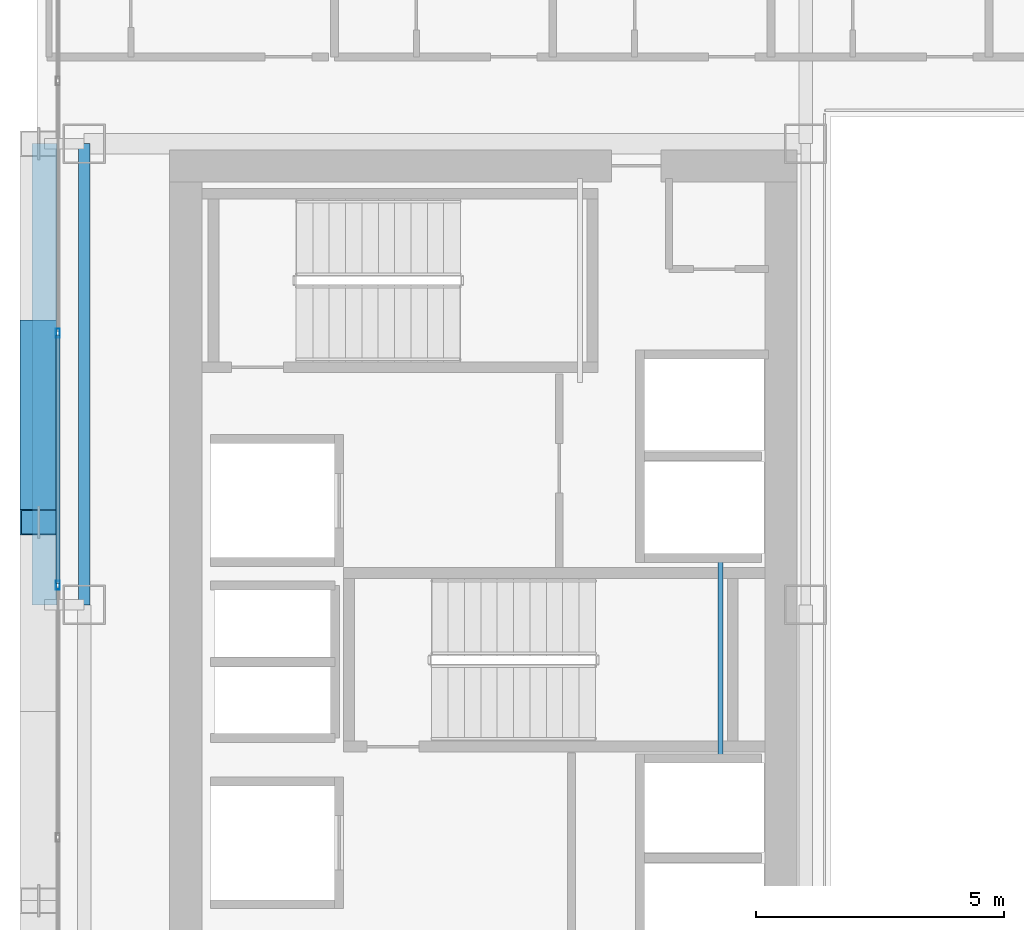
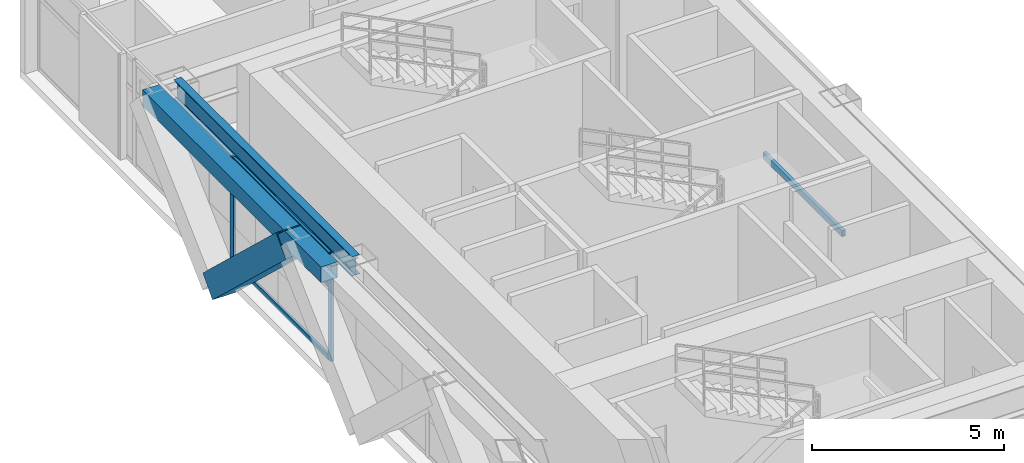
# One storey, part 8 of 36: 6 members, 3 beams, 1 element without a shape of its own.
"""IFC4 building model written with IfcOpenShell, lengths in metres."""

from ifc_helpers import new_model, si_unit, direction, frame, origin, origin_2d, place, context, subcontext, project, spatial, hollow_rectangle, i_section, extrude, source, transform, mapped, material, layer, layer_set, material_profile, profile_set, type_object, element, aggregate, save


model = new_model("IFC4")

# Units and contexts
model_context = context("Model", 3, precision=1e-05, world=origin(), true_north=direction((0.0, 1.0)))
body_context = subcontext(model_context, "Body", "Model", "MODEL_VIEW")
ifc_project = project(units=[si_unit("LENGTHUNIT", "METRE"), si_unit("AREAUNIT", "SQUARE_METRE"), si_unit("VOLUMEUNIT", "CUBIC_METRE"), si_unit("PLANEANGLEUNIT", "RADIAN"), si_unit("MASSUNIT", "GRAM", prefix="KILO")], contexts=[model_context])

# Site, building, storey
site_placement = place(None, origin())
site = spatial("IfcSite", under=ifc_project, at=site_placement, CompositionType="ELEMENT")
building_placement = place(site_placement, origin())
building = spatial("IfcBuilding", under=site, at=building_placement, Name="Ocotamira Hotel", CompositionType="ELEMENT")
storey_placement = place(building_placement, frame((0.0, 0.0, 136.800048828125)))
storey = spatial("IfcBuildingStorey", under=building, at=storey_placement, Name="L34", CompositionType="ELEMENT", Elevation=136.800048828125)

# Beams
ifc_material_1 = material(Name="Steel ASTM A500 Grade C", Category="steel")
ifc_material_profile_1 = material_profile(ifc_material_1, hollow_rectangle(XDim=0.10009765625, YDim=0.199951171875, WallThickness=0.008056640625, at=origin_2d()), Name="HSS200X100X8")
ifc_profile_set_1 = profile_set([ifc_material_profile_1], Name="Steel ASTM A500 Grade C")
beam_type_1 = type_object("IfcBeamType", Name="BM-STLDG-HSS200", PredefinedType="BEAM", material=ifc_profile_set_1)
shared_shape_1 = source(origin(), body_context, "Body", "SweptSolid", [
    extrude(hollow_rectangle(XDim=0.10009765625, YDim=0.199951171875, WallThickness=0.008056640625, at=origin_2d()), origin(), (0.0, 0.0, 1.0), 4.1201171875),
])
beam_1_placement = place(storey_placement, frame((21.780029296875, 24.97998046875, 1.5), z_axis=(0.0, 1.0, 0.0), x_axis=(-1.0, 0.0, 0.0)))
element("IfcBeam", 1, at=beam_1_placement, inside=storey, type_object=beam_type_1, Name="L34 Stair ST-3 Landing Bearer 1", PredefinedType="BEAM", context=body_context, shape_type="MappedRepresentation", body=[
    mapped(shared_shape_1, transform((0.0, 0.0, 0.0), scale=1.0)),
])
ifc_material_2 = material(Name="Steel ASTM A992 Grade 50", Category="steel")
ifc_material_profile_2 = material_profile(ifc_material_2, i_section(OverallWidth=0.22998046875, OverallDepth=0.616943359375, WebThickness=0.01318359375, FlangeThickness=0.022216796875, FilletRadius=0.012939453125, at=origin_2d()), Name="W24X94")
ifc_profile_set_2 = profile_set([ifc_material_profile_2], Name="Steel ASTM A992 Grade 50")
beam_type_2 = type_object("IfcBeamType", Name="BM-PRIM-W24X94", PredefinedType="BEAM", material=ifc_profile_set_2)
shared_shape_2 = source(origin(), body_context, "Body", "SweptSolid", [
    extrude(i_section(OverallWidth=0.22998046875, OverallDepth=0.616943359375, WebThickness=0.01318359375, FlangeThickness=0.022216796875, FilletRadius=0.012939453125, at=origin_2d()), origin(), (0.0, 0.0, 1.0), 9.300048828125),
])
beam_2_placement = place(storey_placement, frame((8.949951171875, 28.14990234375, 3.051513671875), z_axis=(0.0, 1.0, 0.0), x_axis=(-1.0, 0.0, 0.0)))
element("IfcBeam", 2, at=beam_2_placement, inside=storey, type_object=beam_type_2, Name="L34 Beam X8.95 Y28.15-37.45", PredefinedType="BEAM", context=body_context, shape_type="MappedRepresentation", body=[
    mapped(shared_shape_2, transform((0.0, 0.0, 0.0), scale=1.0)),
])
ifc_material_profile_3 = material_profile(ifc_material_1, hollow_rectangle(XDim=0.5, YDim=0.5, WallThickness=0.02001953125, at=origin_2d()), Name="HSS500X500X20")
ifc_profile_set_3 = profile_set([ifc_material_profile_3], Name="Steel ASTM A500 Grade C")
beam_type_3 = type_object("IfcBeamType", Name="BM-SPAN-HSS500", PredefinedType="USERDEFINED", material=ifc_profile_set_3)
shared_shape_3 = source(origin(), body_context, "Body", "SweptSolid", [
    extrude(hollow_rectangle(XDim=0.5, YDim=0.5, WallThickness=0.02001953125, at=origin_2d()), origin(), (0.0, 0.0, 1.0), 9.300048828125),
])
beam_3_placement = place(storey_placement, frame((8.14990234375, 28.14990234375, 3.10986328125), z_axis=(0.0, 1.0, 0.0), x_axis=(-1.0, 0.0, 0.0)))
element("IfcBeam", 3, at=beam_3_placement, inside=storey, type_object=beam_type_3, Name="L34 Edge Spandrel W Y28.15-37.45", ObjectType="SPANDREL", PredefinedType="USERDEFINED", context=body_context, shape_type="MappedRepresentation", body=[
    mapped(shared_shape_3, transform((0.0, 0.0, 0.0), scale=1.0)),
])

# Member
ifc_material_3 = material(Name="Pale-metal coated steel ASTM A913 Grade 65", Category="steel")
ifc_material_profile_4 = material_profile(ifc_material_3, hollow_rectangle(XDim=0.75, YDim=0.75, WallThickness=0.028076171875, at=origin_2d()), Name="BOX750X750X28")
ifc_profile_set_4 = profile_set([ifc_material_profile_4], Name="Pale-metal coated steel ASTM A913 Grade 65")
member_type_1 = type_object("IfcMemberType", Name="MEM-EXO-BOX750", PredefinedType="BRACE", material=ifc_profile_set_4)
shared_shape_4 = source(origin(), body_context, "Body", "SweptSolid", [
    extrude(hollow_rectangle(XDim=0.75, YDim=0.75, WallThickness=0.028076171875, at=origin_2d()), origin(), (0.0, 0.0, 1.0), 5.24658203125),
])
member_1_placement = place(storey_placement, frame((8.030029296875, 33.63330078125, -0.489990234375), z_axis=(0.0, -0.72746596067, 0.686143772154), x_axis=(1.0, 0.0, 0.0)))
element("IfcMember", 4, at=member_1_placement, inside=storey, type_object=member_type_1, Name="L34 Exoskeleton Diagrid W2.1", PredefinedType="BRACE", context=body_context, shape_type="MappedRepresentation", body=[
    mapped(shared_shape_4, transform((0.0, 0.0, 0.0), scale=1.0)),
])

# Curtain wall, members
ifc_material_4 = material(Name="Anodised pale-metal aluminium and solar glass", Category="aluminium")
ifc_layer = layer(ifc_material_4, 0.179931640625)
ifc_layer_set = layer_set([ifc_layer], Name="Anodised pale-metal aluminium and solar glass")
curtain_wall_type = type_object("IfcCurtainWallType", Name="CW-SYS3-Z2", PredefinedType="NOTDEFINED", material=ifc_layer_set)
curtain_wall_placement = place(storey_placement, origin())
curtain_wall = element("IfcCurtainWall", 5, at=curtain_wall_placement, inside=storey, type_object=curtain_wall_type, Name="L34 Curtain Wall CW-3 CW-L34-W", PredefinedType="NOTDEFINED")
ifc_material_5 = material(Name="Anodised pale-metal aluminium 6063-T6", Category="aluminium")
ifc_material_profile_5 = material_profile(ifc_material_5, hollow_rectangle(XDim=0.074951171875, YDim=0.14990234375, WallThickness=0.006103515625, at=origin_2d()), Name="HSS150X75X6")
ifc_profile_set_5 = profile_set([ifc_material_profile_5], Name="Anodised pale-metal aluminium 6063-T6")
member_type_2 = type_object("IfcMemberType", Name="CWT-150X75", PredefinedType="USERDEFINED", material=ifc_profile_set_5)
shared_shape_5 = source(origin(), body_context, "Body", "SweptSolid", [
    extrude(hollow_rectangle(XDim=0.074951171875, YDim=0.14990234375, WallThickness=0.006103515625, at=origin_2d()), origin(), (0.0, 0.0, 1.0), 5.005859375),
])
member_2_placement = place(storey_placement, frame((8.419921875, 28.582763671875, 0.037353515625), z_axis=(0.0, 1.0, 0.0), x_axis=(-1.0, 0.0, 0.0)))
member_2 = element("IfcMember", 6, at=member_2_placement, type_object=member_type_2, Name="CW-3 transom 5.1", ObjectType="TRANSOM", PredefinedType="USERDEFINED", context=body_context, shape_type="MappedRepresentation", body=[
    mapped(shared_shape_5, transform((0.0, 0.0, 0.0), scale=1.0)),
])
member_3_placement = place(storey_placement, frame((8.419921875, 28.582763671875, 2.349853515625), z_axis=(0.0, 1.0, 0.0), x_axis=(-1.0, 0.0, 0.0)))
member_3 = element("IfcMember", 7, at=member_3_placement, type_object=member_type_2, Name="CW-3 transom 5.2", ObjectType="TRANSOM", PredefinedType="USERDEFINED", context=body_context, shape_type="MappedRepresentation", body=[
    mapped(shared_shape_5, transform((0.0, 0.0, 0.0), scale=1.0)),
])
member_4_placement = place(storey_placement, frame((8.419921875, 28.582763671875, 3.322509765625), z_axis=(0.0, 1.0, 0.0), x_axis=(-1.0, 0.0, 0.0)))
member_4 = element("IfcMember", 8, at=member_4_placement, type_object=member_type_2, Name="CW-3 transom 5.3", ObjectType="TRANSOM", PredefinedType="USERDEFINED", context=body_context, shape_type="MappedRepresentation", body=[
    mapped(shared_shape_5, transform((0.0, 0.0, 0.0), scale=1.0)),
])
ifc_material_profile_6 = material_profile(ifc_material_5, hollow_rectangle(XDim=0.080078125, YDim=0.179931640625, WallThickness=0.006103515625, at=origin_2d()), Name="HSS180X80X6")
ifc_profile_set_6 = profile_set([ifc_material_profile_6], Name="Anodised pale-metal aluminium 6063-T6")
member_type_3 = type_object("IfcMemberType", Name="CWM-180X75", PredefinedType="MULLION", material=ifc_profile_set_6)
shared_shape_6 = source(origin(), body_context, "Body", "SweptSolid", [
    extrude(hollow_rectangle(XDim=0.080078125, YDim=0.179931640625, WallThickness=0.006103515625, at=origin_2d()), origin(), (0.0, 0.0, 1.0), 3.35986328125),
])
member_5_placement = place(storey_placement, frame((8.419921875, 28.54296875, 0.0), z_axis=(0.0, 0.0, 1.0), x_axis=(-1.0, 0.0, 0.0)))
member_5 = element("IfcMember", 9, at=member_5_placement, type_object=member_type_3, Name="CW-3 mullion 5", PredefinedType="MULLION", context=body_context, shape_type="MappedRepresentation", body=[
    mapped(shared_shape_6, transform((0.0, 0.0, 0.0), scale=1.0)),
])
member_6_placement = place(storey_placement, frame((8.419921875, 33.628662109375, 0.0), z_axis=(0.0, 0.0, 1.0), x_axis=(-1.0, 0.0, 0.0)))
member_6 = element("IfcMember", 10, at=member_6_placement, type_object=member_type_3, Name="CW-3 mullion 6", PredefinedType="MULLION", context=body_context, shape_type="MappedRepresentation", body=[
    mapped(shared_shape_6, transform((0.0, 0.0, 0.0), scale=1.0)),
])
aggregate(curtain_wall, [member_5, member_6, member_2, member_3, member_4])

save(model, "model.ifc")
